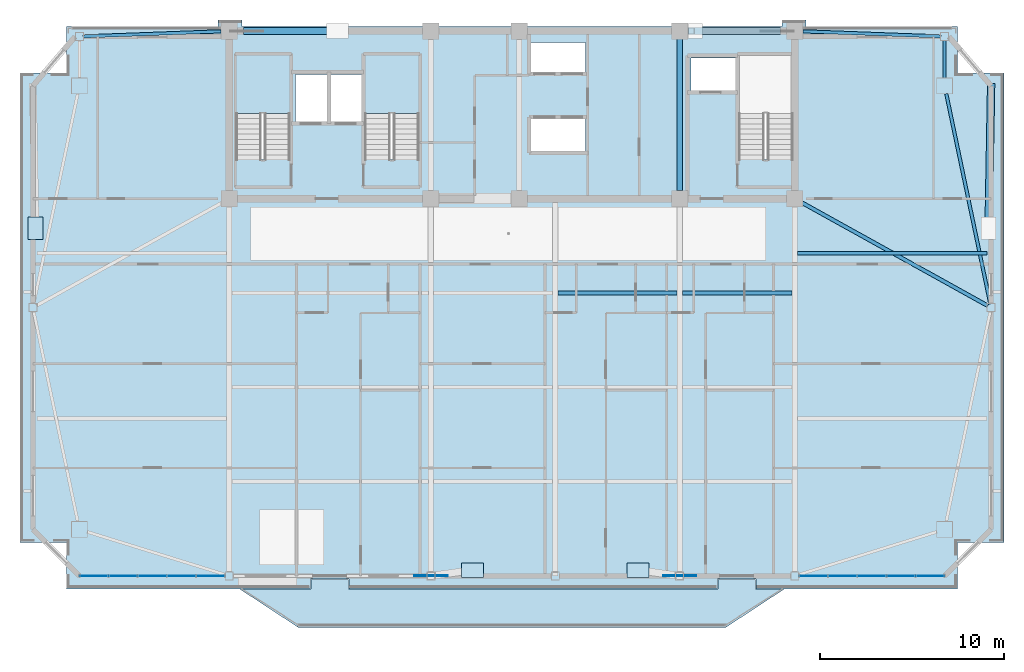
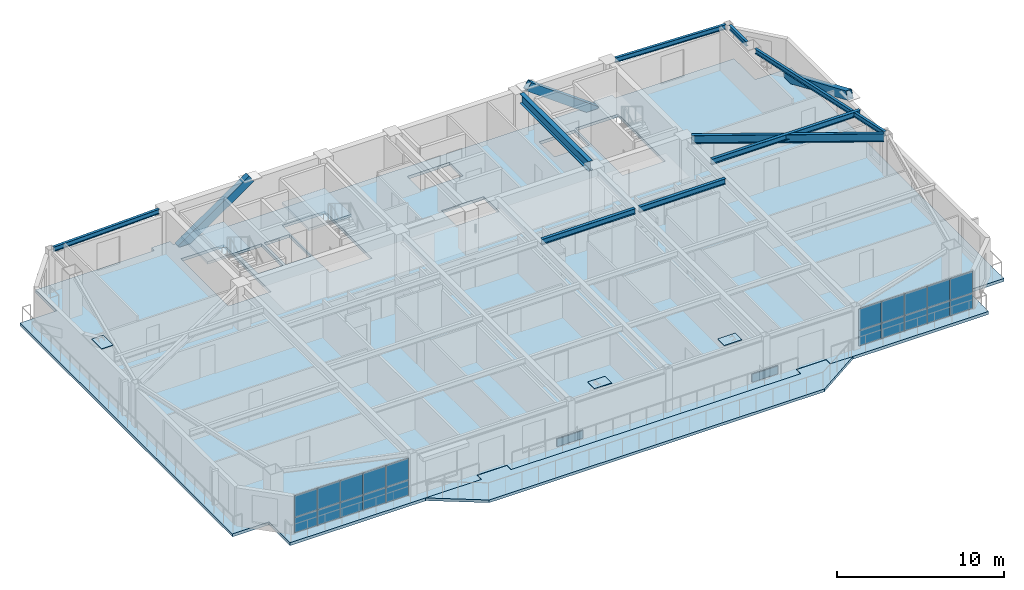
# One storey, part 7 of 17: 25 plates, 9 beams, 4 slabs, 3 members, 4 elements without a shape of their own.
"""IFC4 building model written with IfcOpenShell, lengths in metres."""

from ifc_helpers import new_model, si_unit, direction, frame, origin, origin_2d, place, context, subcontext, project, spatial, polyline, rectangle, hollow_rectangle, i_section, outline, extrude, source, transform, mapped, material, layer, layer_set, material_profile, profile_set, type_object, element, aggregate, save


model = new_model("IFC4")

# Units and contexts
model_context = context("Model", 3, precision=1e-05, world=origin(), true_north=direction((0.0, 1.0)))
body_context = subcontext(model_context, "Body", "Model", "MODEL_VIEW")
ifc_project = project(units=[si_unit("LENGTHUNIT", "METRE"), si_unit("AREAUNIT", "SQUARE_METRE"), si_unit("VOLUMEUNIT", "CUBIC_METRE"), si_unit("PLANEANGLEUNIT", "RADIAN"), si_unit("MASSUNIT", "GRAM", prefix="KILO")], contexts=[model_context])

# Site, building, storey
site_placement = place(None, origin())
site = spatial("IfcSite", under=ifc_project, at=site_placement, CompositionType="ELEMENT")
building_placement = place(site_placement, origin())
building = spatial("IfcBuilding", under=site, at=building_placement, Name="Giltprow Tower", CompositionType="ELEMENT")
storey_placement = place(building_placement, frame((0.0, 0.0, 268.89990234375)))
storey = spatial("IfcBuildingStorey", under=building, at=storey_placement, Name="L69", CompositionType="ELEMENT", Elevation=268.89990234375)

# Beams
ifc_material_1 = material(Name="Structural steel Q355B", Category="steel")
ifc_material_profile_1 = material_profile(ifc_material_1, i_section(OverallWidth=0.199951171875, OverallDepth=0.39990234375, WebThickness=0.008056640625, FlangeThickness=0.012939453125, at=origin_2d()), Name="HN 400x200x8x13")
ifc_profile_set_1 = profile_set([ifc_material_profile_1], Name="Structural steel Q355B")
beam_type_1 = type_object("IfcBeamType", Name="BM-JOIST-HN400", PredefinedType="JOIST", material=ifc_profile_set_1)
shared_shape_1 = source(origin(), body_context, "Body", "SweptSolid", [
    extrude(i_section(OverallWidth=0.199951171875, OverallDepth=0.39990234375, WebThickness=0.008056640625, FlangeThickness=0.012939453125, at=origin_2d()), origin(), (0.0, 0.0, 1.0), 6.4599609375),
])
beam_1_placement = place(storey_placement, frame((37.695068359375, 32.33203125, 2.985107421875), z_axis=(1.0, 0.0, 0.0), x_axis=(0.0, 1.0, 0.0)))
element("IfcBeam", 1, at=beam_1_placement, inside=storey, type_object=beam_type_1, Name="L69 Composite Floor Joist 3-3", PredefinedType="JOIST", context=body_context, shape_type="MappedRepresentation", body=[
    mapped(shared_shape_1, transform((0.0, 0.0, 0.0), x_axis=(1.0, 0.0, 0.0), y_axis=(0.0, 1.0, 0.0), z_axis=(0.0, 0.0, 1.0), scale=1.0)),
])
shared_shape_2 = source(origin(), body_context, "Body", "SweptSolid", [
    extrude(i_section(OverallWidth=0.199951171875, OverallDepth=0.39990234375, WebThickness=0.008056640625, FlangeThickness=0.012939453125, at=origin_2d()), origin(), (0.0, 0.0, 1.0), 5.9599609375),
])
beam_2_placement = place(storey_placement, frame((44.445068359375, 32.33203125, 2.985107421875), z_axis=(1.0, 0.0, 0.0), x_axis=(0.0, 1.0, 0.0)))
element("IfcBeam", 2, at=beam_2_placement, inside=storey, type_object=beam_type_1, Name="L69 Composite Floor Joist 3-4", PredefinedType="JOIST", context=body_context, shape_type="MappedRepresentation", body=[
    mapped(shared_shape_2, transform((0.0, 0.0, 0.0), x_axis=(1.0, 0.0, 0.0), y_axis=(0.0, 1.0, 0.0), z_axis=(0.0, 0.0, 1.0), scale=1.0)),
])
ifc_material_profile_2 = material_profile(ifc_material_1, i_section(OverallWidth=0.300048828125, OverallDepth=0.699951171875, WebThickness=0.012939453125, FlangeThickness=0.02392578125, at=origin_2d()), Name="HN 700x300x13x24")
ifc_profile_set_2 = profile_set([ifc_material_profile_2], Name="Structural steel Q355B")
beam_type_2 = type_object("IfcBeamType", Name="BM-GIRD-HN700", PredefinedType="BEAM", material=ifc_profile_set_2)
shared_shape_3 = source(origin(), body_context, "Body", "SweptSolid", [
    extrude(i_section(OverallWidth=0.300048828125, OverallDepth=0.699951171875, WebThickness=0.012939453125, FlangeThickness=0.02392578125, at=origin_2d()), origin(), (0.0, 0.0, 1.0), 8.22998046875),
])
beam_3_placement = place(storey_placement, frame((44.300048828125, 37.885009765625, 2.835205078125), z_axis=(0.0, 1.0, 0.0), x_axis=(-1.0, 0.0, 0.0)))
element("IfcBeam", 3, at=beam_3_placement, inside=storey, type_object=beam_type_2, Name="L69 Core Tie Girder M3", PredefinedType="BEAM", context=body_context, shape_type="MappedRepresentation", body=[
    mapped(shared_shape_3, transform((0.0, 0.0, 0.0), x_axis=(1.0, 0.0, 0.0), y_axis=(0.0, 1.0, 0.0), z_axis=(0.0, 0.0, 1.0), scale=1.0)),
])
shared_shape_4 = source(origin(), body_context, "Body", "SweptSolid", [
    extrude(i_section(OverallWidth=0.199951171875, OverallDepth=0.39990234375, WebThickness=0.008056640625, FlangeThickness=0.012939453125, at=origin_2d()), origin(), (0.0, 0.0, 1.0), 10.2919921875),
])
beam_4_placement = place(storey_placement, frame((50.695068359375, 34.493896484375, 2.985107421875), z_axis=(1.0, 0.0, 0.0), x_axis=(0.0, 1.0, 0.0)))
element("IfcBeam", 4, at=beam_4_placement, inside=storey, type_object=beam_type_1, Name="L69 East Wing Floor Joist 2", PredefinedType="JOIST", context=body_context, shape_type="MappedRepresentation", body=[
    mapped(shared_shape_4, transform((0.0, 0.0, 0.0), x_axis=(1.0, 0.0, 0.0), y_axis=(0.0, 1.0, 0.0), z_axis=(0.0, 0.0, 1.0), scale=1.0)),
])
ifc_material_profile_3 = material_profile(ifc_material_1, i_section(OverallWidth=0.175048828125, OverallDepth=0.35009765625, WebThickness=0.007080078125, FlangeThickness=0.010986328125, at=origin_2d()), Name="HN 350x175x7x11")
ifc_profile_set_3 = profile_set([ifc_material_profile_3], Name="Structural steel Q355B")
beam_type_3 = type_object("IfcBeamType", Name="BM-SPAN-HN350", PredefinedType="SPANDREL", material=ifc_profile_set_3)
shared_shape_5 = source(origin(), body_context, "Body", "SweptSolid", [
    extrude(i_section(OverallWidth=0.175048828125, OverallDepth=0.35009765625, WebThickness=0.007080078125, FlangeThickness=0.010986328125, at=origin_2d()), origin(), (0.0, 0.0, 1.0), 11.65478515625),
])
beam_5_placement = place(storey_placement, frame((61.1640625, 31.743896484375, 3.010009765625), z_axis=(-0.205159502565, 0.978728552004, 0.0), x_axis=(-0.978728552004, -0.205159502565, 0.0)))
element("IfcBeam", 5, at=beam_5_placement, inside=storey, type_object=beam_type_3, Name="L69 Perimeter Spandrel Beam E_MID-MC_NE", PredefinedType="SPANDREL", context=body_context, shape_type="MappedRepresentation", body=[
    mapped(shared_shape_5, transform((0.0, 0.0, 0.0), x_axis=(1.0, 0.0, 0.0), y_axis=(0.0, 1.0, 0.0), z_axis=(0.0, 0.0, 1.0), scale=1.0)),
])
shared_shape_6 = source(origin(), body_context, "Body", "SweptSolid", [
    extrude(i_section(OverallWidth=0.175048828125, OverallDepth=0.35009765625, WebThickness=0.007080078125, FlangeThickness=0.010986328125, at=origin_2d()), origin(), (0.0, 0.0, 1.0), 2.028076171875),
])
beam_6_placement = place(storey_placement, frame((58.68408203125, 44.011962890625, 3.010009765625), z_axis=(0.0, 1.0, 0.0), x_axis=(-1.0, 0.0, 0.0)))
element("IfcBeam", 6, at=beam_6_placement, inside=storey, type_object=beam_type_3, Name="L69 Perimeter Spandrel Beam MC_NE-N_E", PredefinedType="SPANDREL", context=body_context, shape_type="MappedRepresentation", body=[
    mapped(shared_shape_6, transform((0.0, 0.0, 0.0), x_axis=(1.0, 0.0, 0.0), y_axis=(0.0, 1.0, 0.0), z_axis=(0.0, 0.0, 1.0), scale=1.0)),
])
shared_shape_7 = source(origin(), body_context, "Body", "SweptSolid", [
    extrude(i_section(OverallWidth=0.175048828125, OverallDepth=0.35009765625, WebThickness=0.007080078125, FlangeThickness=0.010986328125, at=origin_2d()), origin(), (0.0, 0.0, 1.0), 7.4931640625),
])
beam_7_placement = place(storey_placement, frame((11.927001953125, 46.258056640625, 3.010009765625), z_axis=(0.999322000822, 0.036817640798, 0.0), x_axis=(-0.036817640798, 0.999322000822, 0.0)))
element("IfcBeam", 7, at=beam_7_placement, inside=storey, type_object=beam_type_3, Name="L69 North Wing Spandrel W", PredefinedType="SPANDREL", context=body_context, shape_type="MappedRepresentation", body=[
    mapped(shared_shape_7, transform((0.0, 0.0, 0.0), x_axis=(1.0, 0.0, 0.0), y_axis=(0.0, 1.0, 0.0), z_axis=(0.0, 0.0, 1.0), scale=1.0)),
])
shared_shape_8 = source(origin(), body_context, "Body", "SweptSolid", [
    extrude(i_section(OverallWidth=0.175048828125, OverallDepth=0.35009765625, WebThickness=0.007080078125, FlangeThickness=0.010986328125, at=origin_2d()), origin(), (0.0, 0.0, 1.0), 7.494140625),
])
beam_8_placement = place(storey_placement, frame((50.985107421875, 46.533935546875, 3.010009765625), z_axis=(0.999322177452, -0.036812846309, 0.0), x_axis=(0.036812846309, 0.999322177452, 0.0)))
element("IfcBeam", 8, at=beam_8_placement, inside=storey, type_object=beam_type_3, Name="L69 North Wing Spandrel E", PredefinedType="SPANDREL", context=body_context, shape_type="MappedRepresentation", body=[
    mapped(shared_shape_8, transform((0.0, 0.0, 0.0), x_axis=(1.0, 0.0, 0.0), y_axis=(0.0, 1.0, 0.0), z_axis=(0.0, 0.0, 1.0), scale=1.0)),
])
ifc_material_profile_4 = material_profile(ifc_material_1, i_section(OverallWidth=0.199951171875, OverallDepth=0.60009765625, WebThickness=0.010986328125, FlangeThickness=0.01708984375, at=origin_2d()), Name="HN 600x200x11x17")
ifc_profile_set_4 = profile_set([ifc_material_profile_4], Name="Structural steel Q355B")
beam_type_4 = type_object("IfcBeamType", Name="BM-GIRD-HN600", PredefinedType="BEAM", material=ifc_profile_set_4)
shared_shape_9 = source(origin(), body_context, "Body", "SweptSolid", [
    extrude(i_section(OverallWidth=0.199951171875, OverallDepth=0.60009765625, WebThickness=0.010986328125, FlangeThickness=0.01708984375, at=origin_2d()), origin(), (0.0, 0.0, 1.0), 11.5419921875),
])
beam_9_placement = place(storey_placement, frame((61.02294921875, 31.639892578125, 2.885009765625), z_axis=(-0.874455437825, 0.485105851602, 0.0), x_axis=(-0.485105851602, -0.874455437825, 0.0)))
element("IfcBeam", 9, at=beam_9_placement, inside=storey, type_object=beam_type_4, Name="L69 East Wing Primary Girder", PredefinedType="BEAM", context=body_context, shape_type="MappedRepresentation", body=[
    mapped(shared_shape_9, transform((0.0, 0.0, 0.0), x_axis=(1.0, 0.0, 0.0), y_axis=(0.0, 1.0, 0.0), z_axis=(0.0, 0.0, 1.0), scale=1.0)),
])

# Members
ifc_material_2 = material(Name="Structural steel Q420GJC", Category="steel")
ifc_material_profile_5 = material_profile(ifc_material_2, hollow_rectangle(XDim=0.39990234375, YDim=0.60009765625, WallThickness=0.028076171875, at=origin_2d()), Name="RHS 600x400x28")
ifc_profile_set_5 = profile_set([ifc_material_profile_5], Name="Structural steel Q420GJC")
member_type = type_object("IfcMemberType", Name="MBR-MEGA-RHS600", PredefinedType="BRACE", material=ifc_profile_set_5)
shared_shape_10 = source(origin(), body_context, "Body", "SweptSolid", [
    extrude(hollow_rectangle(XDim=0.39990234375, YDim=0.60009765625, WallThickness=0.028076171875, at=origin_2d()), origin(), (0.0, 0.0, 1.0), 5.990966796875),
])
member_1_placement = place(storey_placement, frame((20.800048828125, 46.550048828125, -0.139892578125), z_axis=(0.823374311816, 0.0, 0.56749867193), x_axis=(0.0, 1.0, 0.0)))
element("IfcMember", 10, at=member_1_placement, inside=storey, type_object=member_type, Name="L69 Chevron Mega-Brace N-L", PredefinedType="BRACE", context=body_context, shape_type="MappedRepresentation", body=[
    mapped(shared_shape_10, transform((0.0, 0.0, 0.0), x_axis=(1.0, 0.0, 0.0), y_axis=(0.0, 1.0, 0.0), z_axis=(0.0, 0.0, 1.0), scale=1.0)),
])
shared_shape_11 = source(origin(), body_context, "Body", "SweptSolid", [
    extrude(hollow_rectangle(XDim=0.39990234375, YDim=0.60009765625, WallThickness=0.028076171875, at=origin_2d()), origin(), (0.0, 0.0, 1.0), 5.774169921875),
])
member_2_placement = place(storey_placement, frame((49.60009765625, 46.550048828125, -0.139892578125), z_axis=(-0.808264093398, 0.0, 0.588820138348), x_axis=(0.0, -1.0, 0.0)))
element("IfcMember", 11, at=member_2_placement, inside=storey, type_object=member_type, Name="L69 Chevron Mega-Brace N-R", PredefinedType="BRACE", context=body_context, shape_type="MappedRepresentation", body=[
    mapped(shared_shape_11, transform((0.0, 0.0, 0.0), x_axis=(1.0, 0.0, 0.0), y_axis=(0.0, 1.0, 0.0), z_axis=(0.0, 0.0, 1.0), scale=1.0)),
])
shared_shape_12 = source(origin(), body_context, "Body", "SweptSolid", [
    extrude(hollow_rectangle(XDim=0.39990234375, YDim=0.60009765625, WallThickness=0.028076171875, at=origin_2d()), origin(), (0.0, 0.0, 1.0), 8.44677734375),
])
member_3_placement = place(storey_placement, frame((61.20703125, 43.576904296875, 0.0), z_axis=(-0.016446043924, -0.915255583313, 0.402537880023), x_axis=(0.999838600208, -0.017965899183, 0.0)))
element("IfcMember", 12, at=member_3_placement, inside=storey, type_object=member_type, Name="L69 Chevron Mega-Brace E-D", PredefinedType="BRACE", context=body_context, shape_type="MappedRepresentation", body=[
    mapped(shared_shape_12, transform((0.0, 0.0, 0.0), x_axis=(1.0, 0.0, 0.0), y_axis=(0.0, 1.0, 0.0), z_axis=(0.0, 0.0, 1.0), scale=1.0)),
])

# Slabs
ifc_material_3 = material(Name="Concrete C40", Category="concrete")
ifc_layer_1 = layer(ifc_material_3, 0.199951171875, Name="Concrete C40")
ifc_layer_set_1 = layer_set([ifc_layer_1], Name="Concrete C40")
slab_type_1 = type_object("IfcSlabType", Name="SLB-BALC-BRONZE-200", PredefinedType="FLOOR", material=ifc_layer_set_1)
slab_1_placement = place(storey_placement, frame((0.0, 0.0, -0.199951171875)))
element("IfcSlab", 13, at=slab_1_placement, inside=storey, type_object=slab_type_1, Name="L69 Bronze Prow Waterfront Balcony Slab", PredefinedType="FLOOR", context=body_context, shape_type="SweptSolid", body=[
    extrude(outline(polyline([(50.0, 16.27587890625), (46.800048828125, 14.176025390625), (23.60009765625, 14.176025390625), (20.39990234375, 16.27587890625), (24.280029296875, 16.27587890625), (24.280029296875, 16.77587890625), (26.320068359375, 16.77587890625), (26.320068359375, 16.27587890625), (46.3798828125, 16.27587890625), (46.3798828125, 16.77587890625), (48.419921875, 16.77587890625), (48.419921875, 16.27587890625), (50.0, 16.27587890625)])), origin(), (0.0, 0.0, 1.0), 0.199951171875),
])
ifc_layer_2 = layer(ifc_material_3, 0.215087890625, Name="Concrete C40")
ifc_layer_set_2 = layer_set([ifc_layer_2], Name="Concrete C40")
slab_type_2 = type_object("IfcSlabType", Name="SLB-RES-215", PredefinedType="FLOOR", material=ifc_layer_set_2)
slab_2_placement = place(storey_placement, frame((0.0, 0.0, -0.21484375)))
element("IfcSlab", 14, at=slab_2_placement, inside=storey, type_object=slab_type_2, Name="L69 Structural Composite Floor Slab", PredefinedType="FLOOR", context=body_context, shape_type="SweptSolid", body=[
    extrude(outline(polyline([(61.906982421875, 44.27587890625), (61.906982421875, 18.799072265625), (59.383056640625, 18.799072265625), (59.383056640625, 16.27587890625), (48.449951171875, 16.27587890625), (48.449951171875, 16.7958984375), (46.35009765625, 16.7958984375), (46.35009765625, 16.27587890625), (26.35009765625, 16.27587890625), (26.35009765625, 16.7958984375), (24.25, 16.7958984375), (24.25, 16.27587890625), (11.01708984375, 16.27587890625), (11.01708984375, 18.799072265625), (8.493896484375, 18.799072265625), (8.493896484375, 44.27587890625), (11.01708984375, 44.27587890625), (11.01708984375, 46.800048828125), (19.25, 46.800048828125), (19.25, 47.14990234375), (20.550048828125, 47.14990234375), (20.550048828125, 46.800048828125), (49.85009765625, 46.800048828125), (49.85009765625, 47.14990234375), (51.14990234375, 47.14990234375), (51.14990234375, 46.800048828125), (59.383056640625, 46.800048828125), (59.383056640625, 44.27587890625), (61.906982421875, 44.27587890625)]), holes=[polyline([(39.18994140625, 41.800048828125), (36.239990234375, 41.800048828125), (36.239990234375, 40.0), (39.18994140625, 40.0), (39.18994140625, 41.800048828125)]), polyline([(23.159912109375, 39.570068359375), (23.159912109375, 45.25), (20.199951171875, 45.25), (20.199951171875, 39.570068359375), (23.159912109375, 39.570068359375)]), polyline([(30.159912109375, 39.570068359375), (30.159912109375, 45.25), (27.199951171875, 45.25), (27.199951171875, 39.570068359375), (30.159912109375, 39.570068359375)]), polyline([(50.4599609375, 45.25), (47.5, 45.25), (47.5, 39.570068359375), (50.4599609375, 39.570068359375), (50.4599609375, 45.25)]), polyline([(25.169921875, 44.199951171875), (23.449951171875, 44.199951171875), (23.449951171875, 41.60009765625), (25.169921875, 41.60009765625), (25.169921875, 44.199951171875)]), polyline([(27.10009765625, 44.199951171875), (25.35009765625, 44.199951171875), (25.35009765625, 41.60009765625), (27.10009765625, 41.60009765625), (27.10009765625, 44.199951171875)]), polyline([(47.3798828125, 43.300048828125), (47.3798828125, 45.10009765625), (44.919921875, 45.10009765625), (44.919921875, 43.300048828125), (47.3798828125, 43.300048828125)]), polyline([(39.18994140625, 44.300048828125), (39.18994140625, 45.919921875), (36.239990234375, 45.919921875), (36.239990234375, 44.300048828125), (39.18994140625, 44.300048828125)])]), origin(), (0.0, 0.0, 1.0), 0.21484375),
])

# Stair, slab
stair_type_1 = type_object("IfcStairType", Name="STR-ST-1", PredefinedType="HALF_TURN_STAIR", material=ifc_material_3)
stair_1_placement = place(storey_placement, origin())
stair_1 = element("IfcStair", 15, at=stair_1_placement, inside=storey, type_object=stair_type_1, Name="L69 Core Exit Stair ST-1", PredefinedType="HALF_TURN_STAIR")
ifc_layer_3 = layer(ifc_material_3, 0.179931640625, Name="Concrete C40")
ifc_layer_set_3 = layer_set([ifc_layer_3], Name="Concrete C40")
slab_type_3 = type_object("IfcSlabType", Name="SLD-ST-1", PredefinedType="LANDING", material=ifc_layer_set_3)
slab_3_placement = place(storey_placement, frame((0.0, 0.0, 1.52001953125)))
slab_3 = element("IfcSlab", 16, at=slab_3_placement, type_object=slab_type_3, Name="ST-1 landing 1", PredefinedType="LANDING", context=body_context, shape_type="SweptSolid", body=[
    extrude(outline(polyline([(23.159912109375, 42.070068359375), (23.159912109375, 45.25), (20.199951171875, 45.25), (20.199951171875, 42.070068359375), (23.159912109375, 42.070068359375)])), origin(), (0.0, 0.0, 1.0), 0.18017578125),
])
aggregate(stair_1, [slab_3])

stair_type_2 = type_object("IfcStairType", Name="STR-ST-2", PredefinedType="HALF_TURN_STAIR", material=ifc_material_3)
stair_2_placement = place(storey_placement, origin())
stair_2 = element("IfcStair", 17, at=stair_2_placement, inside=storey, type_object=stair_type_2, Name="L69 Core Exit Stair ST-2", PredefinedType="HALF_TURN_STAIR")
ifc_layer_4 = layer(ifc_material_3, 0.18798828125, Name="Concrete C40")
ifc_layer_set_4 = layer_set([ifc_layer_4], Name="Concrete C40")
slab_type_4 = type_object("IfcSlabType", Name="SLD-ST-2", PredefinedType="LANDING", material=ifc_layer_set_4)
slab_4_placement = place(storey_placement, frame((0.0, 0.0, 1.51220703125)))
slab_4 = element("IfcSlab", 18, at=slab_4_placement, type_object=slab_type_4, Name="ST-2 landing 1", PredefinedType="LANDING", context=body_context, shape_type="SweptSolid", body=[
    extrude(outline(polyline([(30.159912109375, 42.070068359375), (30.159912109375, 45.25), (27.199951171875, 45.25), (27.199951171875, 42.070068359375), (30.159912109375, 42.070068359375)])), origin(), (0.0, 0.0, 1.0), 0.18798828125),
])
aggregate(stair_2, [slab_4])

# Plates
plate_type_1 = type_object("IfcPlateType", Name="PLT-NODE-MBN1", PredefinedType="USERDEFINED", material=ifc_material_2)
shared_shape_13 = source(origin(), body_context, "Body", "SweptSolid", [
    extrude(rectangle(XDim=1.800048828125, YDim=0.050048828125, at=origin_2d()), origin(), (0.0, 0.0, 1.0), 1.14990234375),
])
for number, where, z_axis, x_axis, name in (
    (19, (30.800048828125, 16.97607421875, -0.574951171875), (0.0, 0.0, 1.0), (1.0, 0.0, 0.0), "Mega-Brace Node L69-S-LA"),
    (20, (44.300048828125, 16.97607421875, -0.574951171875), (0.0, 0.0, 1.0), (1.0, 0.0, 0.0), "Mega-Brace Node L69-S-RA"),
):
    element("IfcPlate", number, at=place(storey_placement, frame(where, z_axis=z_axis, x_axis=x_axis)), inside=storey, type_object=plate_type_1, Name=name, ObjectType="GUSSET", PredefinedType="USERDEFINED", context=body_context, shape_type="MappedRepresentation", body=[
        mapped(shared_shape_13, transform((0.0, 0.0, 0.0), x_axis=(1.0, 0.0, 0.0), y_axis=(0.0, 1.0, 0.0), z_axis=(0.0, 0.0, 1.0), scale=1.0)),
    ])
plate_type_2 = type_object("IfcPlateType", Name="PLT-CAP-SEAL", PredefinedType="USERDEFINED", material=ifc_material_2)
shared_shape_14 = source(origin(), body_context, "Body", "SweptSolid", [
    extrude(rectangle(XDim=1.199951171875, YDim=0.800048828125, at=origin_2d()), origin(), (0.0, 0.0, 1.0), 0.034912109375),
])
for number, where, z_axis, x_axis, name in (
    (21, (33.050048828125, 17.287109375, 3.3828125), (0.0, 0.0, 1.0), (1.0, 0.0, 0.0), "Mega-Brace Node L69-S-LB"),
    (22, (42.050048828125, 17.287109375, 3.3828125), (0.0, 0.0, 1.0), (1.0, 0.0, 0.0), "Mega-Brace Node L69-S-RB"),
    (23, (9.33203125, 35.845947265625, 3.3828125), (0.0, 0.0, 1.0), (0.0, 1.0, 0.0), "Mega-Brace Node L69-W-DB"),
):
    element("IfcPlate", number, at=place(storey_placement, frame(where, z_axis=z_axis, x_axis=x_axis)), inside=storey, type_object=plate_type_2, Name=name, ObjectType="SPLICE", PredefinedType="USERDEFINED", context=body_context, shape_type="MappedRepresentation", body=[
        mapped(shared_shape_14, transform((0.0, 0.0, 0.0), x_axis=(1.0, 0.0, 0.0), y_axis=(0.0, 1.0, 0.0), z_axis=(0.0, 0.0, 1.0), scale=1.0)),
    ])

# Curtain wall, plates
ifc_material_4 = material(Name="Anodized bronze", Category="metal")
ifc_layer_5 = layer(ifc_material_4, 0.179931640625, Name="Anodized bronze")
ifc_layer_set_5 = layer_set([ifc_layer_5], Name="Anodized bronze")
curtain_wall_type = type_object("IfcCurtainWallType", Name="CW-RES-SKY", PredefinedType="NOTDEFINED", material=ifc_layer_set_5)
curtain_wall_1_placement = place(storey_placement, origin())
curtain_wall_1 = element("IfcCurtainWall", 24, at=curtain_wall_1_placement, inside=storey, type_object=curtain_wall_type, Name="L69 South Recessed Curtain Wall 1", PredefinedType="NOTDEFINED")
ifc_material_5 = material(Name="Insulated glass", Category="glass")
plate_type_3 = type_object("IfcPlateType", Name="CW-PANEL-IGU-28", PredefinedType="CURTAIN_PANEL", material=ifc_material_5)
shared_shape_15 = source(origin(), body_context, "Body", "SweptSolid", [
    extrude(rectangle(XDim=1.552001953125, YDim=0.028076171875, at=origin_2d()), origin(), (0.0, 0.0, 1.0), 1.114013671875),
])
plate_1_placement = place(storey_placement, frame((12.508056640625, 16.97607421875, 0.05419921875), z_axis=(0.0, 0.0, 1.0), x_axis=(1.0, 0.0, 0.0)))
plate_1 = element("IfcPlate", 25, at=plate_1_placement, type_object=plate_type_3, Name="L69 South Recessed Curtain Wall 1 Glazing Panel 1-1", PredefinedType="CURTAIN_PANEL", context=body_context, shape_type="MappedRepresentation", body=[
    mapped(shared_shape_15, transform((0.0, 0.0, 0.0), x_axis=(1.0, 0.0, 0.0), y_axis=(0.0, 1.0, 0.0), z_axis=(0.0, 0.0, 1.0), scale=1.0)),
])
plate_2_placement = place(storey_placement, frame((14.089111328125, 16.97607421875, 0.05419921875), z_axis=(0.0, 0.0, 1.0), x_axis=(1.0, 0.0, 0.0)))
plate_2 = element("IfcPlate", 26, at=plate_2_placement, type_object=plate_type_3, Name="L69 South Recessed Curtain Wall 1 Glazing Panel 2-1", PredefinedType="CURTAIN_PANEL", context=body_context, shape_type="MappedRepresentation", body=[
    mapped(shared_shape_15, transform((0.0, 0.0, 0.0), x_axis=(1.0, 0.0, 0.0), y_axis=(0.0, 1.0, 0.0), z_axis=(0.0, 0.0, 1.0), scale=1.0)),
])
plate_3_placement = place(storey_placement, frame((15.6708984375, 16.97607421875, 0.05419921875), z_axis=(0.0, 0.0, 1.0), x_axis=(1.0, 0.0, 0.0)))
plate_3 = element("IfcPlate", 27, at=plate_3_placement, type_object=plate_type_3, Name="L69 South Recessed Curtain Wall 1 Glazing Panel 3-1", PredefinedType="CURTAIN_PANEL", context=body_context, shape_type="MappedRepresentation", body=[
    mapped(shared_shape_15, transform((0.0, 0.0, 0.0), x_axis=(1.0, 0.0, 0.0), y_axis=(0.0, 1.0, 0.0), z_axis=(0.0, 0.0, 1.0), scale=1.0)),
])
plate_4_placement = place(storey_placement, frame((17.2529296875, 16.97607421875, 0.05419921875), z_axis=(0.0, 0.0, 1.0), x_axis=(1.0, 0.0, 0.0)))
plate_4 = element("IfcPlate", 28, at=plate_4_placement, type_object=plate_type_3, Name="L69 South Recessed Curtain Wall 1 Glazing Panel 4-1", PredefinedType="CURTAIN_PANEL", context=body_context, shape_type="MappedRepresentation", body=[
    mapped(shared_shape_15, transform((0.0, 0.0, 0.0), x_axis=(1.0, 0.0, 0.0), y_axis=(0.0, 1.0, 0.0), z_axis=(0.0, 0.0, 1.0), scale=1.0)),
])
plate_5_placement = place(storey_placement, frame((18.833984375, 16.97607421875, 0.05419921875), z_axis=(0.0, 0.0, 1.0), x_axis=(1.0, 0.0, 0.0)))
plate_5 = element("IfcPlate", 29, at=plate_5_placement, type_object=plate_type_3, Name="L69 South Recessed Curtain Wall 1 Glazing Panel 5-1", PredefinedType="CURTAIN_PANEL", context=body_context, shape_type="MappedRepresentation", body=[
    mapped(shared_shape_15, transform((0.0, 0.0, 0.0), x_axis=(1.0, 0.0, 0.0), y_axis=(0.0, 1.0, 0.0), z_axis=(0.0, 0.0, 1.0), scale=1.0)),
])

curtain_wall_2_placement = place(storey_placement, origin())
curtain_wall_2 = element("IfcCurtainWall", 30, at=curtain_wall_2_placement, inside=storey, type_object=curtain_wall_type, Name="L69 South Recessed Curtain Wall 6", PredefinedType="NOTDEFINED")
plate_6_placement = place(storey_placement, frame((51.56591796875, 16.97607421875, 0.05419921875), z_axis=(0.0, 0.0, 1.0), x_axis=(1.0, 0.0, 0.0)))
plate_6 = element("IfcPlate", 31, at=plate_6_placement, type_object=plate_type_3, Name="L69 South Recessed Curtain Wall 6 Glazing Panel 1-1", PredefinedType="CURTAIN_PANEL", context=body_context, shape_type="MappedRepresentation", body=[
    mapped(shared_shape_15, transform((0.0, 0.0, 0.0), x_axis=(1.0, 0.0, 0.0), y_axis=(0.0, 1.0, 0.0), z_axis=(0.0, 0.0, 1.0), scale=1.0)),
])
plate_7_placement = place(storey_placement, frame((53.14794921875, 16.97607421875, 0.05419921875), z_axis=(0.0, 0.0, 1.0), x_axis=(1.0, 0.0, 0.0)))
plate_7 = element("IfcPlate", 32, at=plate_7_placement, type_object=plate_type_3, Name="L69 South Recessed Curtain Wall 6 Glazing Panel 2-1", PredefinedType="CURTAIN_PANEL", context=body_context, shape_type="MappedRepresentation", body=[
    mapped(shared_shape_15, transform((0.0, 0.0, 0.0), x_axis=(1.0, 0.0, 0.0), y_axis=(0.0, 1.0, 0.0), z_axis=(0.0, 0.0, 1.0), scale=1.0)),
])
plate_8_placement = place(storey_placement, frame((54.72998046875, 16.97607421875, 0.05419921875), z_axis=(0.0, 0.0, 1.0), x_axis=(1.0, 0.0, 0.0)))
plate_8 = element("IfcPlate", 33, at=plate_8_placement, type_object=plate_type_3, Name="L69 South Recessed Curtain Wall 6 Glazing Panel 3-1", PredefinedType="CURTAIN_PANEL", context=body_context, shape_type="MappedRepresentation", body=[
    mapped(shared_shape_15, transform((0.0, 0.0, 0.0), x_axis=(1.0, 0.0, 0.0), y_axis=(0.0, 1.0, 0.0), z_axis=(0.0, 0.0, 1.0), scale=1.0)),
])
plate_9_placement = place(storey_placement, frame((56.31103515625, 16.97607421875, 0.05419921875), z_axis=(0.0, 0.0, 1.0), x_axis=(1.0, 0.0, 0.0)))
plate_9 = element("IfcPlate", 34, at=plate_9_placement, type_object=plate_type_3, Name="L69 South Recessed Curtain Wall 6 Glazing Panel 4-1", PredefinedType="CURTAIN_PANEL", context=body_context, shape_type="MappedRepresentation", body=[
    mapped(shared_shape_15, transform((0.0, 0.0, 0.0), x_axis=(1.0, 0.0, 0.0), y_axis=(0.0, 1.0, 0.0), z_axis=(0.0, 0.0, 1.0), scale=1.0)),
])
plate_10_placement = place(storey_placement, frame((57.89306640625, 16.97607421875, 0.05419921875), z_axis=(0.0, 0.0, 1.0), x_axis=(1.0, 0.0, 0.0)))
plate_10 = element("IfcPlate", 35, at=plate_10_placement, type_object=plate_type_3, Name="L69 South Recessed Curtain Wall 6 Glazing Panel 5-1", PredefinedType="CURTAIN_PANEL", context=body_context, shape_type="MappedRepresentation", body=[
    mapped(shared_shape_15, transform((0.0, 0.0, 0.0), x_axis=(1.0, 0.0, 0.0), y_axis=(0.0, 1.0, 0.0), z_axis=(0.0, 0.0, 1.0), scale=1.0)),
])

# Plate
shared_shape_16 = source(origin(), body_context, "Body", "SweptSolid", [
    extrude(rectangle(XDim=1.552001953125, YDim=0.028076171875, at=origin_2d()), origin(), (0.0, 0.0, 1.0), 1.56494140625),
])
plate_11_placement = place(storey_placement, frame((12.508056640625, 16.97607421875, 1.196533203125), z_axis=(0.0, 0.0, 1.0), x_axis=(1.0, 0.0, 0.0)))
plate_11 = element("IfcPlate", 36, at=plate_11_placement, type_object=plate_type_3, Name="L69 South Recessed Curtain Wall 1 Glazing Panel 1-2", PredefinedType="CURTAIN_PANEL", context=body_context, shape_type="MappedRepresentation", body=[
    mapped(shared_shape_16, transform((0.0, 0.0, 0.0), x_axis=(1.0, 0.0, 0.0), y_axis=(0.0, 1.0, 0.0), z_axis=(0.0, 0.0, 1.0), scale=1.0)),
])

plate_12_placement = place(storey_placement, frame((14.089111328125, 16.97607421875, 1.196533203125), z_axis=(0.0, 0.0, 1.0), x_axis=(1.0, 0.0, 0.0)))
plate_12 = element("IfcPlate", 37, at=plate_12_placement, type_object=plate_type_3, Name="L69 South Recessed Curtain Wall 1 Glazing Panel 2-2", PredefinedType="CURTAIN_PANEL", context=body_context, shape_type="MappedRepresentation", body=[
    mapped(shared_shape_16, transform((0.0, 0.0, 0.0), x_axis=(1.0, 0.0, 0.0), y_axis=(0.0, 1.0, 0.0), z_axis=(0.0, 0.0, 1.0), scale=1.0)),
])

plate_13_placement = place(storey_placement, frame((15.6708984375, 16.97607421875, 1.196533203125), z_axis=(0.0, 0.0, 1.0), x_axis=(1.0, 0.0, 0.0)))
plate_13 = element("IfcPlate", 38, at=plate_13_placement, type_object=plate_type_3, Name="L69 South Recessed Curtain Wall 1 Glazing Panel 3-2", PredefinedType="CURTAIN_PANEL", context=body_context, shape_type="MappedRepresentation", body=[
    mapped(shared_shape_16, transform((0.0, 0.0, 0.0), x_axis=(1.0, 0.0, 0.0), y_axis=(0.0, 1.0, 0.0), z_axis=(0.0, 0.0, 1.0), scale=1.0)),
])

plate_14_placement = place(storey_placement, frame((17.2529296875, 16.97607421875, 1.196533203125), z_axis=(0.0, 0.0, 1.0), x_axis=(1.0, 0.0, 0.0)))
plate_14 = element("IfcPlate", 39, at=plate_14_placement, type_object=plate_type_3, Name="L69 South Recessed Curtain Wall 1 Glazing Panel 4-2", PredefinedType="CURTAIN_PANEL", context=body_context, shape_type="MappedRepresentation", body=[
    mapped(shared_shape_16, transform((0.0, 0.0, 0.0), x_axis=(1.0, 0.0, 0.0), y_axis=(0.0, 1.0, 0.0), z_axis=(0.0, 0.0, 1.0), scale=1.0)),
])

plate_15_placement = place(storey_placement, frame((18.833984375, 16.97607421875, 1.196533203125), z_axis=(0.0, 0.0, 1.0), x_axis=(1.0, 0.0, 0.0)))
plate_15 = element("IfcPlate", 40, at=plate_15_placement, type_object=plate_type_3, Name="L69 South Recessed Curtain Wall 1 Glazing Panel 5-2", PredefinedType="CURTAIN_PANEL", context=body_context, shape_type="MappedRepresentation", body=[
    mapped(shared_shape_16, transform((0.0, 0.0, 0.0), x_axis=(1.0, 0.0, 0.0), y_axis=(0.0, 1.0, 0.0), z_axis=(0.0, 0.0, 1.0), scale=1.0)),
])

aggregate(curtain_wall_1, [plate_1, plate_11, plate_2, plate_12, plate_3, plate_13, plate_4, plate_14, plate_5, plate_15])

plate_16_placement = place(storey_placement, frame((51.56591796875, 16.97607421875, 1.196533203125), z_axis=(0.0, 0.0, 1.0), x_axis=(1.0, 0.0, 0.0)))
plate_16 = element("IfcPlate", 41, at=plate_16_placement, type_object=plate_type_3, Name="L69 South Recessed Curtain Wall 6 Glazing Panel 1-2", PredefinedType="CURTAIN_PANEL", context=body_context, shape_type="MappedRepresentation", body=[
    mapped(shared_shape_16, transform((0.0, 0.0, 0.0), x_axis=(1.0, 0.0, 0.0), y_axis=(0.0, 1.0, 0.0), z_axis=(0.0, 0.0, 1.0), scale=1.0)),
])

plate_17_placement = place(storey_placement, frame((53.14794921875, 16.97607421875, 1.196533203125), z_axis=(0.0, 0.0, 1.0), x_axis=(1.0, 0.0, 0.0)))
plate_17 = element("IfcPlate", 42, at=plate_17_placement, type_object=plate_type_3, Name="L69 South Recessed Curtain Wall 6 Glazing Panel 2-2", PredefinedType="CURTAIN_PANEL", context=body_context, shape_type="MappedRepresentation", body=[
    mapped(shared_shape_16, transform((0.0, 0.0, 0.0), x_axis=(1.0, 0.0, 0.0), y_axis=(0.0, 1.0, 0.0), z_axis=(0.0, 0.0, 1.0), scale=1.0)),
])

plate_18_placement = place(storey_placement, frame((54.72998046875, 16.97607421875, 1.196533203125), z_axis=(0.0, 0.0, 1.0), x_axis=(1.0, 0.0, 0.0)))
plate_18 = element("IfcPlate", 43, at=plate_18_placement, type_object=plate_type_3, Name="L69 South Recessed Curtain Wall 6 Glazing Panel 3-2", PredefinedType="CURTAIN_PANEL", context=body_context, shape_type="MappedRepresentation", body=[
    mapped(shared_shape_16, transform((0.0, 0.0, 0.0), x_axis=(1.0, 0.0, 0.0), y_axis=(0.0, 1.0, 0.0), z_axis=(0.0, 0.0, 1.0), scale=1.0)),
])

plate_19_placement = place(storey_placement, frame((56.31103515625, 16.97607421875, 1.196533203125), z_axis=(0.0, 0.0, 1.0), x_axis=(1.0, 0.0, 0.0)))
plate_19 = element("IfcPlate", 44, at=plate_19_placement, type_object=plate_type_3, Name="L69 South Recessed Curtain Wall 6 Glazing Panel 4-2", PredefinedType="CURTAIN_PANEL", context=body_context, shape_type="MappedRepresentation", body=[
    mapped(shared_shape_16, transform((0.0, 0.0, 0.0), x_axis=(1.0, 0.0, 0.0), y_axis=(0.0, 1.0, 0.0), z_axis=(0.0, 0.0, 1.0), scale=1.0)),
])

plate_20_placement = place(storey_placement, frame((57.89306640625, 16.97607421875, 1.196533203125), z_axis=(0.0, 0.0, 1.0), x_axis=(1.0, 0.0, 0.0)))
plate_20 = element("IfcPlate", 45, at=plate_20_placement, type_object=plate_type_3, Name="L69 South Recessed Curtain Wall 6 Glazing Panel 5-2", PredefinedType="CURTAIN_PANEL", context=body_context, shape_type="MappedRepresentation", body=[
    mapped(shared_shape_16, transform((0.0, 0.0, 0.0), x_axis=(1.0, 0.0, 0.0), y_axis=(0.0, 1.0, 0.0), z_axis=(0.0, 0.0, 1.0), scale=1.0)),
])

aggregate(curtain_wall_2, [plate_6, plate_16, plate_7, plate_17, plate_8, plate_18, plate_9, plate_19, plate_10, plate_20])

save(model, "model.ifc")
